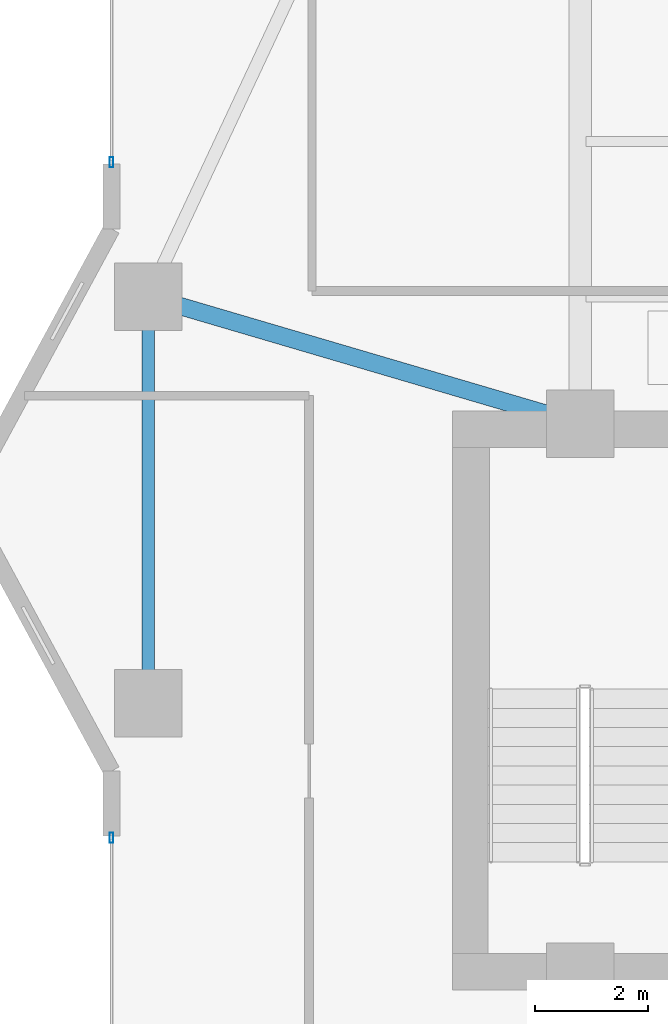
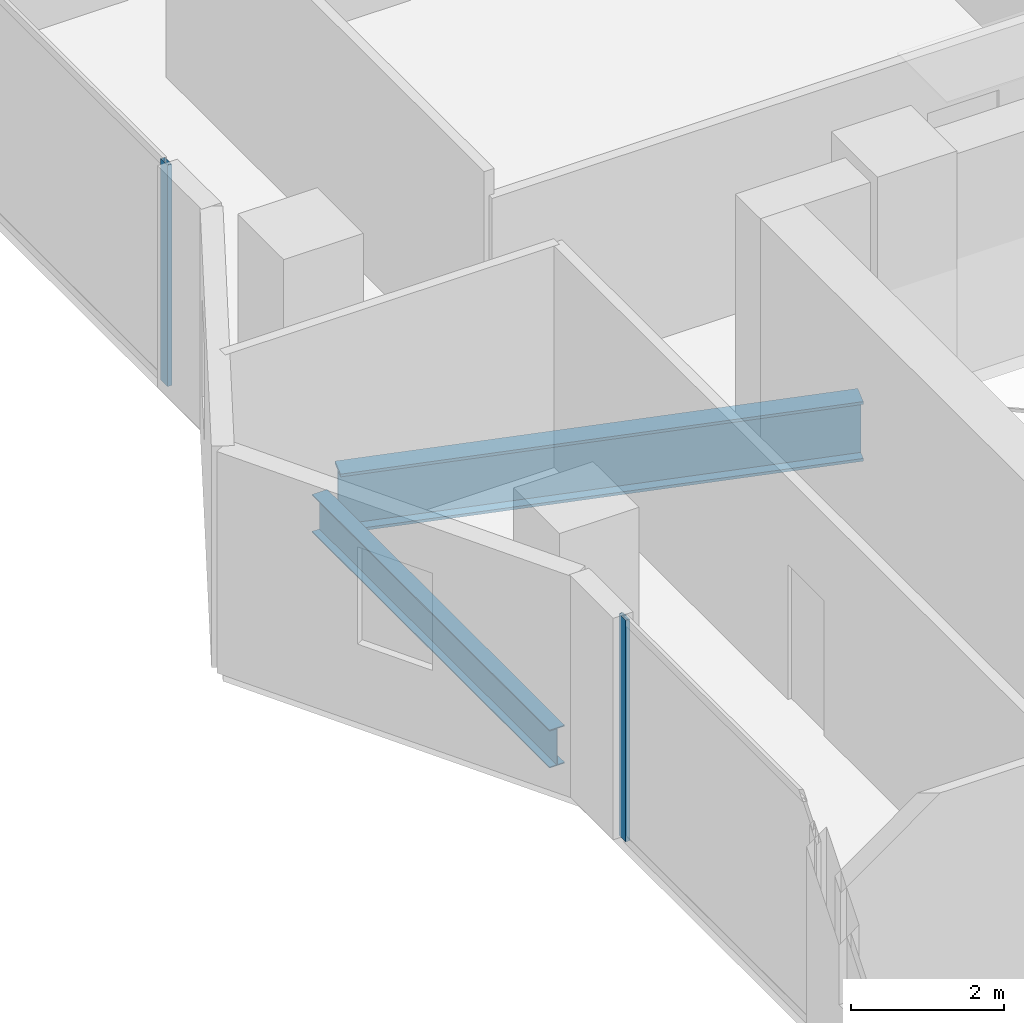
# One storey, part 7 of 32: 2 beams, 2 members, 2 elements without a shape of their own.
"""IFC4 building model written with IfcOpenShell, lengths in metres."""

from ifc_helpers import new_model, si_unit, direction, frame, origin, origin_2d, place, context, subcontext, project, spatial, hollow_rectangle, i_section, extrude, material, layer, layer_set, material_profile, profile_set, type_object, element, aggregate, save


model = new_model("IFC4")

# Units and contexts
model_context = context("Model", 3, precision=1e-05, world=origin(), true_north=direction((0.0, 1.0)))
body_context = subcontext(model_context, "Body", "Model", "MODEL_VIEW")
ifc_project = project(units=[si_unit("LENGTHUNIT", "METRE"), si_unit("AREAUNIT", "SQUARE_METRE"), si_unit("VOLUMEUNIT", "CUBIC_METRE"), si_unit("PLANEANGLEUNIT", "RADIAN"), si_unit("MASSUNIT", "GRAM", prefix="KILO")], contexts=[model_context])

# Site, building, storey
site_placement = place(None, origin())
site = spatial("IfcSite", under=ifc_project, at=site_placement, CompositionType="ELEMENT")
building_placement = place(site_placement, origin())
building = spatial("IfcBuilding", under=site, at=building_placement, Name="Zuhayl Quay Hotel", CompositionType="ELEMENT")
storey_placement = place(building_placement, frame((0.0, 0.0, 184.89990234375)))
storey = spatial("IfcBuildingStorey", under=building, at=storey_placement, Name="L46", CompositionType="ELEMENT", Elevation=184.89990234375)

# Beams
ifc_material_1 = material(Name="Steel ASTM A992 Grade 50", Category="steel")
ifc_material_profile_1 = material_profile(ifc_material_1, i_section(OverallWidth=0.22802734375, OverallDepth=0.60693359375, WebThickness=0.01123046875, FlangeThickness=0.017333984375, at=origin_2d()), Name="W24X76")
ifc_profile_set_1 = profile_set([ifc_material_profile_1], Name="Steel ASTM A992 Grade 50")
beam_type_1 = type_object("IfcBeamType", Name="BM_B3_W24X76", PredefinedType="BEAM", material=ifc_profile_set_1)
beam_1_placement = place(storey_placement, frame((-21.449951171875, 16.10009765625, -0.5234375), z_axis=(0.0, -1.0, 0.0), x_axis=(1.0, 0.0, 0.0)))
element("IfcBeam", 1, at=beam_1_placement, inside=storey, type_object=beam_type_1, Name="L46 Floor Beam RG_L46_11", PredefinedType="BEAM", context=body_context, shape_type="SweptSolid", body=[
    extrude(i_section(OverallWidth=0.22802734375, OverallDepth=0.60693359375, WebThickness=0.01123046875, FlangeThickness=0.017333984375, at=origin_2d()), origin(), (0.0, 0.0, 1.0), 6.2001953125),
])
ifc_material_profile_2 = material_profile(ifc_material_1, i_section(OverallWidth=0.31005859375, OverallDepth=0.949951171875, WebThickness=0.0244140625, FlangeThickness=0.0439453125, at=origin_2d()), Name="W36X256")
ifc_profile_set_2 = profile_set([ifc_material_profile_2], Name="Steel ASTM A992 Grade 50")
beam_type_2 = type_object("IfcBeamType", Name="BM_PG1_W36X256", PredefinedType="BEAM", material=ifc_profile_set_2)
beam_2_placement = place(storey_placement, frame((-20.97021484375, 16.458984375, -0.69482421875), z_axis=(0.959364948093, -0.282168205812, 0.0), x_axis=(0.282168205812, 0.959364948093, 0.0)))
element("IfcBeam", 2, at=beam_2_placement, inside=storey, type_object=beam_type_2, Name="L46 Floor Beam FG_W_L46_2", PredefinedType="BEAM", context=body_context, shape_type="SweptSolid", body=[
    extrude(i_section(OverallWidth=0.31005859375, OverallDepth=0.949951171875, WebThickness=0.0244140625, FlangeThickness=0.0439453125, at=origin_2d()), origin(), (0.0, 0.0, 1.0), 7.02392578125),
])

# Curtain wall, member
ifc_material_2 = material(Name="Anodised Aluminium 6063-T6", Category="aluminium")
ifc_layer = layer(ifc_material_2, 0.175048828125, Name="Anodised Aluminium 6063-T6", Category="aluminium")
ifc_layer_set = layer_set([ifc_layer], Name="Anodised Aluminium 6063-T6")
curtain_wall_type = type_object("IfcCurtainWallType", Name="CW_SYS_Z3", PredefinedType="USERDEFINED", material=ifc_layer_set)
curtain_wall_1_placement = place(storey_placement, origin())
curtain_wall_1 = element("IfcCurtainWall", 3, at=curtain_wall_1_placement, inside=storey, type_object=curtain_wall_type, Name="L46 Curtain Wall ENV_L46_E02_CW1", ObjectType="UNITISED CURTAIN WALL", PredefinedType="USERDEFINED")
ifc_material_3 = material(Name="Black-anodised aluminium 6063-T6", Category="aluminium")
ifc_material_profile_3 = material_profile(ifc_material_3, hollow_rectangle(XDim=0.06494140625, YDim=0.179931640625, WallThickness=0.00341796875, at=origin_2d()), Name="ALU180X65")
ifc_profile_set_3 = profile_set([ifc_material_profile_3], Name="Black-anodised aluminium 6063-T6")
member_type = type_object("IfcMemberType", Name="MB_CW_MUL_180", PredefinedType="MULLION", material=ifc_profile_set_3)
member_1_placement = place(storey_placement, frame((-22.10009765625, 7.017578125, 0.0), z_axis=(0.0, 0.0, 1.0), x_axis=(-1.0, 0.0, 0.0)))
member_1 = element("IfcMember", 4, at=member_1_placement, type_object=member_type, Name="CW-Z3 mullion 2", PredefinedType="MULLION", context=body_context, shape_type="SweptSolid", body=[
    extrude(hollow_rectangle(XDim=0.06494140625, YDim=0.179931640625, WallThickness=0.00341796875, at=origin_2d()), origin(), (0.0, 0.0, 1.0), 3.530029296875),
])
aggregate(curtain_wall_1, [member_1])

curtain_wall_2_placement = place(storey_placement, origin())
curtain_wall_2 = element("IfcCurtainWall", 5, at=curtain_wall_2_placement, inside=storey, type_object=curtain_wall_type, Name="L46 Curtain Wall ENV_L46_E05_CW1", ObjectType="UNITISED CURTAIN WALL", PredefinedType="USERDEFINED")
member_2_placement = place(storey_placement, frame((-22.10009765625, 18.982421875, 0.0), z_axis=(0.0, 0.0, 1.0), x_axis=(-1.0, 0.0, 0.0)))
member_2 = element("IfcMember", 6, at=member_2_placement, type_object=member_type, Name="CW-Z3 mullion 1", PredefinedType="MULLION", context=body_context, shape_type="SweptSolid", body=[
    extrude(hollow_rectangle(XDim=0.06494140625, YDim=0.179931640625, WallThickness=0.00341796875, at=origin_2d()), origin(), (0.0, 0.0, 1.0), 3.530029296875),
])
aggregate(curtain_wall_2, [member_2])

save(model, "model.ifc")
